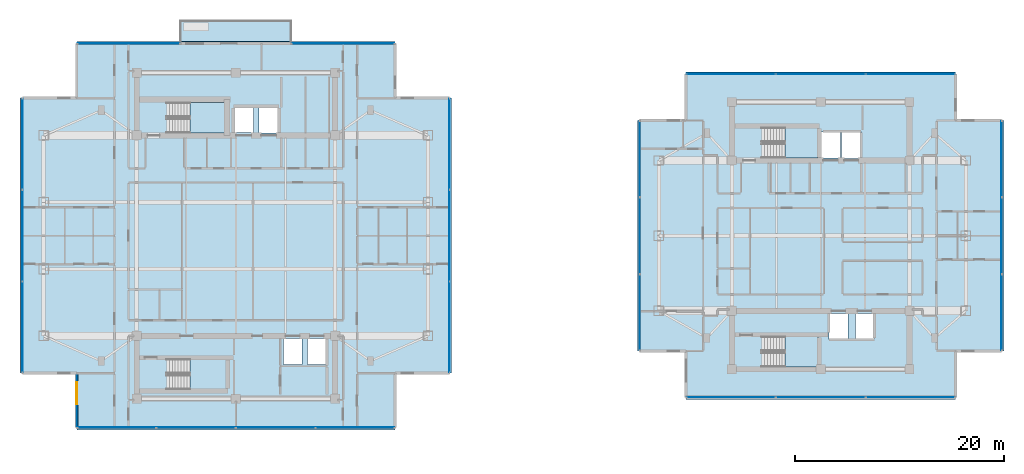
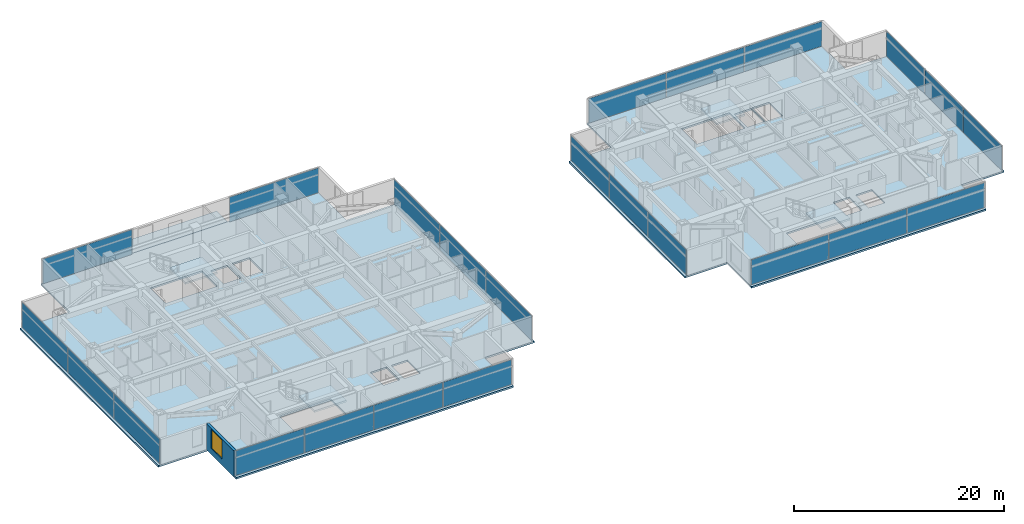
# One storey, part 11 of 24: 24 plates, 7 slabs, 1 wall, 1 window, 1 opening, 13 elements without a shape of their own.
"""IFC4 building model written with IfcOpenShell, lengths in metres."""

import ifcopenshell
import ifcopenshell.guid

model = None  # the IFC model being written
_history = None  # IfcOwnerHistory: only IFC2X3 demands one
_inside = {}  # id of a spatial element -> (the spatial element, [elements in it])
_under = {}  # id of a project, library or spatial element -> (it, [spatial elements below it])
_declared = {}  # id of a project -> (the project, [libraries it declares])
_typed = {}  # id of a type object -> (the type object, [elements of that type])
_made_of = {}  # id of a material, layer set ... -> (it, [elements and type objects made of it])


def new_model(schema):
    """Start an empty IFC model of exactly this schema.

    Asked for "IFC4X3", IfcOpenShell would pick the latest addendum, in which some entities
    have other attributes; the version numbers below select the first issue.
    IFC2X3 requires an IfcOwnerHistory on every rooted entity: one is made here for all.
    """
    global model, _history
    if schema == "IFC4X3":
        model = ifcopenshell.file(schema_version=(4, 3, 0, 0))
    else:
        model = ifcopenshell.file(schema=schema)
    _inside.clear()
    _under.clear()
    _declared.clear()
    _typed.clear()
    _made_of.clear()
    _history = None
    if model.schema == "IFC2X3":
        org = make("IfcOrganization", Name="unknown")
        user = make(
            "IfcPersonAndOrganization",
            ThePerson=make("IfcPerson", FamilyName="unknown"),
            TheOrganization=org,
        )
        app = make(
            "IfcApplication",
            ApplicationDeveloper=org,
            Version="unknown",
            ApplicationFullName="unknown",
            ApplicationIdentifier="unknown",
        )
        _history = make(
            "IfcOwnerHistory",
            OwningUser=user,
            OwningApplication=app,
            ChangeAction="ADDED",
            CreationDate=0,
        )
    return model


def make(cls, **values):
    """One entity of the class cls with the attributes given. An attribute that is None is left unset."""
    return model.create_entity(
        cls, **{name: value for name, value in values.items() if value is not None}
    )


def rooted(cls, **values):
    """An entity with a GlobalId (a new one), such as an element, a storey or a relation."""
    return make(cls, GlobalId=ifcopenshell.guid.new(), OwnerHistory=_history, **values)


def si_unit(unit_type, name, prefix=None):
    """IfcSIUnit, for example si_unit("LENGTHUNIT", "METRE", prefix="MILLI")."""
    return make("IfcSIUnit", UnitType=unit_type, Prefix=prefix, Name=name)


def assignment(units):
    """IfcUnitAssignment: the units of a project."""
    return None if units is None else make("IfcUnitAssignment", Units=units)


def point(xyz):
    """IfcCartesianPoint."""
    return None if xyz is None else make("IfcCartesianPoint", Coordinates=xyz)


def direction(xyz):
    """IfcDirection."""
    return None if xyz is None else make("IfcDirection", DirectionRatios=xyz)


def frame(location, z_axis=None, x_axis=None):
    """IfcAxis2Placement3D, a coordinate frame: its origin and axes. An axis left out is left unset."""
    return make(
        "IfcAxis2Placement3D",
        Location=point(location),
        Axis=direction(z_axis),
        RefDirection=direction(x_axis),
    )


def frame_2d(location, x_axis=None):
    """IfcAxis2Placement2D, a coordinate frame in the plane: its origin and x axis."""
    return make(
        "IfcAxis2Placement2D", Location=point(location), RefDirection=direction(x_axis)
    )


def origin():
    """The frame at (0, 0, 0) with its axes left unset."""
    return frame((0.0, 0.0, 0.0))


def origin_2d():
    """The frame at (0, 0) in the plane with its x axis left unset."""
    return frame_2d((0.0, 0.0))


def place(relative_to, where):
    """IfcLocalPlacement: puts the frame where relative to a parent placement (None: the world)."""
    return make(
        "IfcLocalPlacement", PlacementRelTo=relative_to, RelativePlacement=where
    )


def context(
    kind, dimensions, precision=None, world=None, true_north=None, identifier=None
):
    """IfcGeometricRepresentationContext, for example the 3D "Model" context."""
    return make(
        "IfcGeometricRepresentationContext",
        ContextIdentifier=identifier,
        ContextType=kind,
        CoordinateSpaceDimension=dimensions,
        Precision=precision,
        WorldCoordinateSystem=world,
        TrueNorth=true_north,
    )


def subcontext(parent, identifier, kind, view, scale=None):
    """IfcGeometricRepresentationSubContext, for example "Body" below "Model"."""
    return make(
        "IfcGeometricRepresentationSubContext",
        ContextIdentifier=identifier,
        ContextType=kind,
        ParentContext=parent,
        TargetScale=scale,
        TargetView=view,
    )


def project(units=None, contexts=None):
    """IfcProject with its units and contexts."""
    return rooted(
        "IfcProject",
        Name="project",
        RepresentationContexts=contexts,
        UnitsInContext=assignment(units),
    )


def spatial(cls, under=None, at=None, **own):
    """A site, building, storey or space (cls), placed at a placement, below another one or the project."""
    s = rooted(cls, ObjectPlacement=at, **own)
    if under is not None:
        _under.setdefault(under.id(), (under, []))[1].append(s)
    return s


def polyline(points):
    """IfcPolyline through the points."""
    return make("IfcPolyline", Points=[point(p) for p in points])


def profile(cls, at=None, kind="AREA", **sizes):
    """A parametric profile (cls). Its sizes go by their IFC names, for example OverallWidth=200.0."""
    return make(cls, ProfileType=kind, Position=at, **sizes)


def rectangle(**sizes):
    """IfcRectangleProfileDef."""
    return profile("IfcRectangleProfileDef", **sizes)


def outline(outer, holes=None, kind="AREA"):
    """IfcArbitraryClosedProfileDef: a profile drawn as a closed curve; with holes, ...WithVoids."""
    if holes is None:
        return make("IfcArbitraryClosedProfileDef", ProfileType=kind, OuterCurve=outer)
    return make(
        "IfcArbitraryProfileDefWithVoids",
        ProfileType=kind,
        OuterCurve=outer,
        InnerCurves=holes,
    )


def extrude(swept, where, along, depth):
    """IfcExtrudedAreaSolid: the profile swept, set in the frame where, extruded along a direction by depth."""
    return make(
        "IfcExtrudedAreaSolid",
        SweptArea=swept,
        Position=where,
        ExtrudedDirection=direction(along),
        Depth=depth,
    )


def shape(context_of_items, identifier, shape_type, items):
    """IfcShapeRepresentation: the items that make up one representation, for example the "Body"."""
    return make(
        "IfcShapeRepresentation",
        ContextOfItems=context_of_items,
        RepresentationIdentifier=identifier,
        RepresentationType=shape_type,
        Items=items,
    )


def material(Name=None, Category=None):
    """IfcMaterial."""
    return make("IfcMaterial", Name=Name, Category=Category)


def layer(
    of_material, thickness, ventilated=None, Name=None, Category=None, Priority=None
):
    """IfcMaterialLayer: one layer of a wall or slab, of a material (None: an air gap)."""
    return make(
        "IfcMaterialLayer",
        Material=of_material,
        LayerThickness=thickness,
        IsVentilated=ventilated,
        Name=Name,
        Category=Category,
        Priority=Priority,
    )


def layer_set(layers, Name=None):
    """IfcMaterialLayerSet."""
    return make("IfcMaterialLayerSet", MaterialLayers=layers, LayerSetName=Name)


def made_of(thing, what):
    """Note that an element or type object is made of a material, layer set ...; save() writes the relation."""
    if what is not None:
        _made_of.setdefault(what.id(), (what, []))[1].append(thing)
    return thing


def type_object(cls, material=None, **own):
    """A type object (cls), such as IfcWallType, which elements share."""
    return made_of(rooted(cls, **own), material)


def element(
    cls,
    number,
    at=None,
    inside=None,
    cuts=None,
    type_object=None,
    material=None,
    context=None,
    identifier="Body",
    shape_type=None,
    held_by="IfcProductDefinitionShape",
    body=None,
    shapes=None,
    **own,
):
    """One element of the class cls, such as IfcWall. Its Tag is "e" and its number.

    at: its placement. inside: the storey or other place that contains it. cuts: it is an
    opening in that element (IfcRelVoidsElement). A single representation is given by context,
    identifier, shape_type and body (its items); several are given by shapes. held_by: the class
    of the entity that holds the representations. save() writes the other relations.
    """
    e = rooted(cls, Tag="e%d" % number, ObjectPlacement=at, **own)
    if body is not None:
        shapes = [shape(context, identifier, shape_type, body)]
    if shapes is not None:
        e.Representation = make(held_by, Representations=shapes)
    if inside is not None:
        _inside.setdefault(inside.id(), (inside, []))[1].append(e)
    if cuts is not None:
        rooted(
            "IfcRelVoidsElement", RelatingBuildingElement=cuts, RelatedOpeningElement=e
        )
    if type_object is not None:
        _typed.setdefault(type_object.id(), (type_object, []))[1].append(e)
    return made_of(e, material)


def fill(opening, filler):
    """IfcRelFillsElement: the door or window that sits in an opening."""
    return rooted(
        "IfcRelFillsElement",
        RelatingOpeningElement=opening,
        RelatedBuildingElement=filler,
    )


def aggregate(whole, parts):
    """IfcRelAggregates: a whole, such as a stair, and the parts it consists of."""
    return rooted("IfcRelAggregates", RelatingObject=whole, RelatedObjects=parts)


def save(model, path):
    """Write the relations noted so far, then the file.

    IfcRelAggregates (storeys below a building ...), IfcRelContainedInSpatialStructure (elements
    in a storey), IfcRelDefinesByType, IfcRelAssociatesMaterial and IfcRelDeclares: one each for
    every whole, place, type object, material and project.
    """
    for whole, parts in _under.values():
        aggregate(whole, parts)
    for where, things in _inside.values():
        rooted(
            "IfcRelContainedInSpatialStructure",
            RelatedElements=things,
            RelatingStructure=where,
        )
    for kind, things in _typed.values():
        rooted("IfcRelDefinesByType", RelatedObjects=things, RelatingType=kind)
    for what, things in _made_of.values():
        rooted("IfcRelAssociatesMaterial", RelatedObjects=things, RelatingMaterial=what)
    for by, libraries in _declared.values():
        rooted("IfcRelDeclares", RelatingContext=by, RelatedDefinitions=libraries)
    model.write(path)


model = new_model("IFC4")

# Units and contexts
model_context = context("Model", 3, precision=1e-05, world=origin(), true_north=direction((0.0, 1.0)))
body_context = subcontext(model_context, "Body", "Model", "MODEL_VIEW")
ifc_project = project(units=[si_unit("LENGTHUNIT", "METRE"), si_unit("AREAUNIT", "SQUARE_METRE"), si_unit("VOLUMEUNIT", "CUBIC_METRE"), si_unit("PLANEANGLEUNIT", "RADIAN"), si_unit("MASSUNIT", "GRAM", prefix="KILO")], contexts=[model_context])

# Site, building, storey
site_placement = place(None, origin())
site = spatial("IfcSite", under=ifc_project, at=site_placement, CompositionType="ELEMENT")
building_placement = place(site_placement, origin())
building = spatial("IfcBuilding", under=site, at=building_placement, Name="Mirazonda Arch Towers", CompositionType="ELEMENT")
storey_placement = place(building_placement, frame((0.0, 0.0, 196.64990234375)))
storey = spatial("IfcBuildingStorey", under=building, at=storey_placement, Name="L56", CompositionType="ELEMENT", Elevation=196.64990234375)

# Curtain wall, plates
ifc_material_1 = material(Name="Anodised Aluminium and Low-E Glass", Category="aluminium")
curtain_wall_type = type_object("IfcCurtainWallType", Name="CW-RES-UNIT", PredefinedType="NOTDEFINED", material=ifc_material_1)
curtain_wall_1_placement = place(storey_placement, origin())
curtain_wall_1 = element("IfcCurtainWall", 1, at=curtain_wall_1_placement, inside=storey, type_object=curtain_wall_type, Name="L56 T1 S Facade CW-L56-T1-S", PredefinedType="NOTDEFINED")
ifc_material_2 = material(Name="Insulated Low-E Solar Glass", Category="glass")
ifc_layer_1 = layer(ifc_material_2, 0.0400390625, Name="PAN-CW-RES-UNIT")
ifc_layer_set_1 = layer_set([ifc_layer_1], Name="Insulated Low-E Solar Glass")
plate_type = type_object("IfcPlateType", Name="PAN-CW-RES-UNIT", PredefinedType="CURTAIN_PANEL", material=ifc_layer_set_1)
plate_1_placement = place(storey_placement, frame((31.907470703125, 9.617919921875, 0.0751953125), z_axis=(0.0, 0.0, 1.0), x_axis=(-1.0, 0.0, 0.0)))
plate_1 = element("IfcPlate", 2, at=plate_1_placement, type_object=plate_type, Name="CW-104 panel 1.1", PredefinedType="CURTAIN_PANEL", context=body_context, shape_type="SweptSolid", body=[
    extrude(rectangle(XDim=7.5048828125, YDim=0.0400390625, at=origin_2d()), origin(), (0.0, 0.0, 1.0), 2.8798828125),
])
plate_2_placement = place(storey_placement, frame((24.308837890625, 9.617919921875, 0.0751953125), z_axis=(0.0, 0.0, 1.0), x_axis=(-1.0, 0.0, 0.0)))
plate_2 = element("IfcPlate", 3, at=plate_2_placement, type_object=plate_type, Name="CW-104 panel 2.1", PredefinedType="CURTAIN_PANEL", context=body_context, shape_type="SweptSolid", body=[
    extrude(rectangle(XDim=7.54248046875, YDim=0.0400390625, at=origin_2d()), origin(), (0.0, 0.0, 1.0), 2.8798828125),
])
plate_3_placement = place(storey_placement, frame((16.691162109375, 9.617919921875, 0.0751953125), z_axis=(0.0, 0.0, 1.0), x_axis=(-1.0, 0.0, 0.0)))
plate_3 = element("IfcPlate", 4, at=plate_3_placement, type_object=plate_type, Name="CW-104 panel 3.1", PredefinedType="CURTAIN_PANEL", context=body_context, shape_type="SweptSolid", body=[
    extrude(rectangle(XDim=7.54248046875, YDim=0.0400390625, at=origin_2d()), origin(), (0.0, 0.0, 1.0), 2.8798828125),
])
plate_4_placement = place(storey_placement, frame((9.092529296875, 9.617919921875, 0.0751953125), z_axis=(0.0, 0.0, 1.0), x_axis=(-1.0, 0.0, 0.0)))
plate_4 = element("IfcPlate", 5, at=plate_4_placement, type_object=plate_type, Name="CW-104 panel 4.1", PredefinedType="CURTAIN_PANEL", context=body_context, shape_type="SweptSolid", body=[
    extrude(rectangle(XDim=7.5048828125, YDim=0.0400390625, at=origin_2d()), origin(), (0.0, 0.0, 1.0), 2.8798828125),
])
aggregate(curtain_wall_1, [plate_1, plate_2, plate_3, plate_4])

curtain_wall_2_placement = place(storey_placement, origin())
curtain_wall_2 = element("IfcCurtainWall", 6, at=curtain_wall_2_placement, inside=storey, type_object=curtain_wall_type, Name="L56 T1 E Facade CW-L56-T1-E", PredefinedType="NOTDEFINED")
plate_5_placement = place(storey_placement, frame((40.949951171875, 19.24072265625, 0.0751953125), z_axis=(0.0, 0.0, 1.0), x_axis=(0.0, 1.0, 0.0)))
plate_5 = element("IfcPlate", 7, at=plate_5_placement, type_object=plate_type, Name="CW-104 panel 1.1", PredefinedType="CURTAIN_PANEL", context=body_context, shape_type="SweptSolid", body=[
    extrude(rectangle(XDim=8.66552734375, YDim=0.0400390625, at=origin_2d()), origin(), (0.0, 0.0, 1.0), 2.8798828125),
])
plate_6_placement = place(storey_placement, frame((40.949951171875, 28.0, 0.0751953125), z_axis=(0.0, 0.0, 1.0), x_axis=(0.0, 1.0, 0.0)))
plate_6 = element("IfcPlate", 8, at=plate_6_placement, type_object=plate_type, Name="CW-104 panel 2.1", PredefinedType="CURTAIN_PANEL", context=body_context, shape_type="SweptSolid", body=[
    extrude(rectangle(XDim=8.702880859375, YDim=0.0400390625, at=origin_2d()), origin(), (0.0, 0.0, 1.0), 2.8798828125),
])
plate_7_placement = place(storey_placement, frame((40.949951171875, 36.75927734375, 0.0751953125), z_axis=(0.0, 0.0, 1.0), x_axis=(0.0, 1.0, 0.0)))
plate_7 = element("IfcPlate", 9, at=plate_7_placement, type_object=plate_type, Name="CW-104 panel 3.1", PredefinedType="CURTAIN_PANEL", context=body_context, shape_type="SweptSolid", body=[
    extrude(rectangle(XDim=8.66552734375, YDim=0.0400390625, at=origin_2d()), origin(), (0.0, 0.0, 1.0), 2.8798828125),
])
aggregate(curtain_wall_2, [plate_5, plate_6, plate_7])

# Curtain wall, plate
curtain_wall_3_placement = place(storey_placement, origin())
curtain_wall_3 = element("IfcCurtainWall", 10, at=curtain_wall_3_placement, inside=storey, type_object=curtain_wall_type, Name="L56 Curtain Wall CW-L56-T1-NA", PredefinedType="NOTDEFINED")
plate_8_placement = place(storey_placement, frame((10.237548828125, 46.382080078125, 0.0751953125), z_axis=(0.0, 0.0, 1.0), x_axis=(1.0, 0.0, 0.0)))
plate_8 = element("IfcPlate", 11, at=plate_8_placement, type_object=plate_type, Name="CW-104 panel 1.1", PredefinedType="CURTAIN_PANEL", context=body_context, shape_type="SweptSolid", body=[
    extrude(rectangle(XDim=9.794921875, YDim=0.0400390625, at=origin_2d()), origin(), (0.0, 0.0, 1.0), 2.8798828125),
])
aggregate(curtain_wall_3, [plate_8])

curtain_wall_4_placement = place(storey_placement, origin())
curtain_wall_4 = element("IfcCurtainWall", 12, at=curtain_wall_4_placement, inside=storey, type_object=curtain_wall_type, Name="L56 Curtain Wall CW-L56-T1-NB", PredefinedType="NOTDEFINED")
plate_9_placement = place(storey_placement, frame((30.762451171875, 46.382080078125, 0.0751953125), z_axis=(0.0, 0.0, 1.0), x_axis=(1.0, 0.0, 0.0)))
plate_9 = element("IfcPlate", 13, at=plate_9_placement, type_object=plate_type, Name="CW-104 panel 1.1", PredefinedType="CURTAIN_PANEL", context=body_context, shape_type="SweptSolid", body=[
    extrude(rectangle(XDim=9.794921875, YDim=0.0400390625, at=origin_2d()), origin(), (0.0, 0.0, 1.0), 2.8798828125),
])
aggregate(curtain_wall_4, [plate_9])

# Curtain wall, plates
curtain_wall_5_placement = place(storey_placement, origin())
curtain_wall_5 = element("IfcCurtainWall", 14, at=curtain_wall_5_placement, inside=storey, type_object=curtain_wall_type, Name="L56 T1 W Facade CW-L56-T1-W", PredefinedType="NOTDEFINED")
plate_10_placement = place(storey_placement, frame((0.050048828125, 36.75927734375, 0.0751953125), z_axis=(0.0, 0.0, 1.0), x_axis=(0.0, -1.0, 0.0)))
plate_10 = element("IfcPlate", 15, at=plate_10_placement, type_object=plate_type, Name="CW-104 panel 1.1", PredefinedType="CURTAIN_PANEL", context=body_context, shape_type="SweptSolid", body=[
    extrude(rectangle(XDim=8.66552734375, YDim=0.0400390625, at=origin_2d()), origin(), (0.0, 0.0, 1.0), 2.8798828125),
])
plate_11_placement = place(storey_placement, frame((0.050048828125, 28.0, 0.0751953125), z_axis=(0.0, 0.0, 1.0), x_axis=(0.0, -1.0, 0.0)))
plate_11 = element("IfcPlate", 16, at=plate_11_placement, type_object=plate_type, Name="CW-104 panel 2.1", PredefinedType="CURTAIN_PANEL", context=body_context, shape_type="SweptSolid", body=[
    extrude(rectangle(XDim=8.702880859375, YDim=0.0400390625, at=origin_2d()), origin(), (0.0, 0.0, 1.0), 2.8798828125),
])
plate_12_placement = place(storey_placement, frame((0.050048828125, 19.24072265625, 0.0751953125), z_axis=(0.0, 0.0, 1.0), x_axis=(0.0, -1.0, 0.0)))
plate_12 = element("IfcPlate", 17, at=plate_12_placement, type_object=plate_type, Name="CW-104 panel 3.1", PredefinedType="CURTAIN_PANEL", context=body_context, shape_type="SweptSolid", body=[
    extrude(rectangle(XDim=8.66552734375, YDim=0.0400390625, at=origin_2d()), origin(), (0.0, 0.0, 1.0), 2.8798828125),
])
aggregate(curtain_wall_5, [plate_10, plate_11, plate_12])

curtain_wall_6_placement = place(storey_placement, origin())
curtain_wall_6 = element("IfcCurtainWall", 18, at=curtain_wall_6_placement, inside=storey, type_object=curtain_wall_type, Name="L56 T2 S Facade CW-L56-T2-S", PredefinedType="NOTDEFINED")
plate_13_placement = place(storey_placement, frame((85.074462890625, 12.5283203125, 0.0751953125), z_axis=(0.0, 0.0, 1.0), x_axis=(-1.0, 0.0, 0.0)))
plate_13 = element("IfcPlate", 19, at=plate_13_placement, type_object=plate_type, Name="CW-104 panel 1.1", PredefinedType="CURTAIN_PANEL", context=body_context, shape_type="SweptSolid", body=[
    extrude(rectangle(XDim=8.480712890625, YDim=0.0400390625, at=origin_2d()), origin(), (0.0, 0.0, 1.0), 2.8798828125),
])
plate_14_placement = place(storey_placement, frame((76.5, 12.5283203125, 0.0751953125), z_axis=(0.0, 0.0, 1.0), x_axis=(-1.0, 0.0, 0.0)))
plate_14 = element("IfcPlate", 20, at=plate_14_placement, type_object=plate_type, Name="CW-104 panel 2.1", PredefinedType="CURTAIN_PANEL", context=body_context, shape_type="SweptSolid", body=[
    extrude(rectangle(XDim=8.518310546875, YDim=0.0400390625, at=origin_2d()), origin(), (0.0, 0.0, 1.0), 2.8798828125),
])
plate_15_placement = place(storey_placement, frame((67.925537109375, 12.5283203125, 0.0751953125), z_axis=(0.0, 0.0, 1.0), x_axis=(-1.0, 0.0, 0.0)))
plate_15 = element("IfcPlate", 21, at=plate_15_placement, type_object=plate_type, Name="CW-104 panel 3.1", PredefinedType="CURTAIN_PANEL", context=body_context, shape_type="SweptSolid", body=[
    extrude(rectangle(XDim=8.480712890625, YDim=0.0400390625, at=origin_2d()), origin(), (0.0, 0.0, 1.0), 2.8798828125),
])
aggregate(curtain_wall_6, [plate_13, plate_14, plate_15])

curtain_wall_7_placement = place(storey_placement, origin())
curtain_wall_7 = element("IfcCurtainWall", 22, at=curtain_wall_7_placement, inside=storey, type_object=curtain_wall_type, Name="L56 T2 E Facade CW-L56-T2-E", PredefinedType="NOTDEFINED")
plate_16_placement = place(storey_placement, frame((93.82958984375, 20.6640625, 0.0751953125), z_axis=(0.0, 0.0, 1.0), x_axis=(0.0, 1.0, 0.0)))
plate_16 = element("IfcPlate", 23, at=plate_16_placement, type_object=plate_type, Name="CW-104 panel 1.1", PredefinedType="CURTAIN_PANEL", context=body_context, shape_type="SweptSolid", body=[
    extrude(rectangle(XDim=7.2421875, YDim=0.0400390625, at=origin_2d()), origin(), (0.0, 0.0, 1.0), 2.8798828125),
])
plate_17_placement = place(storey_placement, frame((93.82958984375, 28.0, 0.0751953125), z_axis=(0.0, 0.0, 1.0), x_axis=(0.0, 1.0, 0.0)))
plate_17 = element("IfcPlate", 24, at=plate_17_placement, type_object=plate_type, Name="CW-104 panel 2.1", PredefinedType="CURTAIN_PANEL", context=body_context, shape_type="SweptSolid", body=[
    extrude(rectangle(XDim=7.27978515625, YDim=0.0400390625, at=origin_2d()), origin(), (0.0, 0.0, 1.0), 2.8798828125),
])
plate_18_placement = place(storey_placement, frame((93.82958984375, 35.3359375, 0.0751953125), z_axis=(0.0, 0.0, 1.0), x_axis=(0.0, 1.0, 0.0)))
plate_18 = element("IfcPlate", 25, at=plate_18_placement, type_object=plate_type, Name="CW-104 panel 3.1", PredefinedType="CURTAIN_PANEL", context=body_context, shape_type="SweptSolid", body=[
    extrude(rectangle(XDim=7.2421875, YDim=0.0400390625, at=origin_2d()), origin(), (0.0, 0.0, 1.0), 2.8798828125),
])
aggregate(curtain_wall_7, [plate_16, plate_17, plate_18])

curtain_wall_8_placement = place(storey_placement, origin())
curtain_wall_8 = element("IfcCurtainWall", 26, at=curtain_wall_8_placement, inside=storey, type_object=curtain_wall_type, Name="L56 T2 N Facade CW-L56-T2-N", PredefinedType="NOTDEFINED")
plate_19_placement = place(storey_placement, frame((67.925537109375, 43.4716796875, 0.0751953125), z_axis=(0.0, 0.0, 1.0), x_axis=(1.0, 0.0, 0.0)))
plate_19 = element("IfcPlate", 27, at=plate_19_placement, type_object=plate_type, Name="CW-104 panel 1.1", PredefinedType="CURTAIN_PANEL", context=body_context, shape_type="SweptSolid", body=[
    extrude(rectangle(XDim=8.480712890625, YDim=0.0400390625, at=origin_2d()), origin(), (0.0, 0.0, 1.0), 2.8798828125),
])
plate_20_placement = place(storey_placement, frame((76.5, 43.4716796875, 0.0751953125), z_axis=(0.0, 0.0, 1.0), x_axis=(1.0, 0.0, 0.0)))
plate_20 = element("IfcPlate", 28, at=plate_20_placement, type_object=plate_type, Name="CW-104 panel 2.1", PredefinedType="CURTAIN_PANEL", context=body_context, shape_type="SweptSolid", body=[
    extrude(rectangle(XDim=8.518310546875, YDim=0.0400390625, at=origin_2d()), origin(), (0.0, 0.0, 1.0), 2.8798828125),
])
plate_21_placement = place(storey_placement, frame((85.074462890625, 43.4716796875, 0.0751953125), z_axis=(0.0, 0.0, 1.0), x_axis=(1.0, 0.0, 0.0)))
plate_21 = element("IfcPlate", 29, at=plate_21_placement, type_object=plate_type, Name="CW-104 panel 3.1", PredefinedType="CURTAIN_PANEL", context=body_context, shape_type="SweptSolid", body=[
    extrude(rectangle(XDim=8.480712890625, YDim=0.0400390625, at=origin_2d()), origin(), (0.0, 0.0, 1.0), 2.8798828125),
])
aggregate(curtain_wall_8, [plate_19, plate_20, plate_21])

curtain_wall_9_placement = place(storey_placement, origin())
curtain_wall_9 = element("IfcCurtainWall", 30, at=curtain_wall_9_placement, inside=storey, type_object=curtain_wall_type, Name="L56 T2 W Facade CW-L56-T2-W", PredefinedType="NOTDEFINED")
plate_22_placement = place(storey_placement, frame((59.17041015625, 35.3359375, 0.0751953125), z_axis=(0.0, 0.0, 1.0), x_axis=(0.0, -1.0, 0.0)))
plate_22 = element("IfcPlate", 31, at=plate_22_placement, type_object=plate_type, Name="CW-104 panel 1.1", PredefinedType="CURTAIN_PANEL", context=body_context, shape_type="SweptSolid", body=[
    extrude(rectangle(XDim=7.2421875, YDim=0.0400390625, at=origin_2d()), origin(), (0.0, 0.0, 1.0), 2.8798828125),
])
plate_23_placement = place(storey_placement, frame((59.17041015625, 28.0, 0.0751953125), z_axis=(0.0, 0.0, 1.0), x_axis=(0.0, -1.0, 0.0)))
plate_23 = element("IfcPlate", 32, at=plate_23_placement, type_object=plate_type, Name="CW-104 panel 2.1", PredefinedType="CURTAIN_PANEL", context=body_context, shape_type="SweptSolid", body=[
    extrude(rectangle(XDim=7.27978515625, YDim=0.0400390625, at=origin_2d()), origin(), (0.0, 0.0, 1.0), 2.8798828125),
])
plate_24_placement = place(storey_placement, frame((59.17041015625, 20.6640625, 0.0751953125), z_axis=(0.0, 0.0, 1.0), x_axis=(0.0, -1.0, 0.0)))
plate_24 = element("IfcPlate", 33, at=plate_24_placement, type_object=plate_type, Name="CW-104 panel 3.1", PredefinedType="CURTAIN_PANEL", context=body_context, shape_type="SweptSolid", body=[
    extrude(rectangle(XDim=7.2421875, YDim=0.0400390625, at=origin_2d()), origin(), (0.0, 0.0, 1.0), 2.8798828125),
])
aggregate(curtain_wall_9, [plate_22, plate_23, plate_24])

# Stair, slab
ifc_material_3 = material(Name="Concrete C40/50", Category="concrete")
stair_type = type_object("IfcStairType", Name="STAIR-CORE-1400", PredefinedType="HALF_TURN_STAIR", material=ifc_material_3)
stair_1_placement = place(storey_placement, origin())
stair_1 = element("IfcStair", 34, at=stair_1_placement, inside=storey, type_object=stair_type, Name="L56 Protected Exit Stair ST-T1N", PredefinedType="HALF_TURN_STAIR")
ifc_layer_2 = layer(ifc_material_3, 0.18994140625, Name="SLAB-LANDING-190")
ifc_layer_set_2 = layer_set([ifc_layer_2], Name="Concrete C40/50")
slab_type_1 = type_object("IfcSlabType", Name="SLAB-LANDING-190", PredefinedType="LANDING", material=ifc_layer_set_2)
slab_1_placement = place(storey_placement, frame((0.0, 0.0, 1.425048828125)))
slab_1 = element("IfcSlab", 35, at=slab_1_placement, type_object=slab_type_1, Name="ST-T1N landing 1", PredefinedType="LANDING", context=body_context, shape_type="SweptSolid", body=[
    extrude(outline(polyline([(16.090087890625, 37.820068359375), (19.60009765625, 37.820068359375), (19.60009765625, 40.760009765625), (16.090087890625, 40.760009765625), (16.090087890625, 37.820068359375)])), origin(), (0.0, 0.0, 1.0), 0.199951171875),
])
aggregate(stair_1, [slab_1])

stair_2_placement = place(storey_placement, origin())
stair_2 = element("IfcStair", 36, at=stair_2_placement, inside=storey, type_object=stair_type, Name="L56 Protected Exit Stair ST-T1S", PredefinedType="HALF_TURN_STAIR")
slab_2_placement = place(storey_placement, frame((0.0, 0.0, 1.425048828125)))
slab_2 = element("IfcSlab", 37, at=slab_2_placement, type_object=slab_type_1, Name="ST-T1S landing 1", PredefinedType="LANDING", context=body_context, shape_type="SweptSolid", body=[
    extrude(outline(polyline([(16.090087890625, 13.25), (19.60009765625, 13.25), (19.60009765625, 16.18994140625), (16.090087890625, 16.18994140625), (16.090087890625, 13.25)])), origin(), (0.0, 0.0, 1.0), 0.199951171875),
])
aggregate(stair_2, [slab_2])

stair_3_placement = place(storey_placement, origin())
stair_3 = element("IfcStair", 38, at=stair_3_placement, inside=storey, type_object=stair_type, Name="L56 Protected Exit Stair ST-T2N", PredefinedType="HALF_TURN_STAIR")
slab_3_placement = place(storey_placement, frame((0.0, 0.0, 1.425048828125)))
slab_3 = element("IfcSlab", 39, at=slab_3_placement, type_object=slab_type_1, Name="ST-T2N landing 1", PredefinedType="LANDING", context=body_context, shape_type="SweptSolid", body=[
    extrude(outline(polyline([(73.090087890625, 35.419921875), (76.22998046875, 35.419921875), (76.22998046875, 38.360107421875), (73.090087890625, 38.360107421875), (73.090087890625, 35.419921875)])), origin(), (0.0, 0.0, 1.0), 0.199951171875),
])
aggregate(stair_3, [slab_3])

stair_4_placement = place(storey_placement, origin())
stair_4 = element("IfcStair", 40, at=stair_4_placement, inside=storey, type_object=stair_type, Name="L56 Protected Exit Stair ST-T2S", PredefinedType="HALF_TURN_STAIR")
slab_4_placement = place(storey_placement, frame((0.0, 0.0, 1.425048828125)))
slab_4 = element("IfcSlab", 41, at=slab_4_placement, type_object=slab_type_1, Name="ST-T2S landing 1", PredefinedType="LANDING", context=body_context, shape_type="SweptSolid", body=[
    extrude(outline(polyline([(73.090087890625, 15.419921875), (76.22998046875, 15.419921875), (76.22998046875, 18.360107421875), (73.090087890625, 18.360107421875), (73.090087890625, 15.419921875)])), origin(), (0.0, 0.0, 1.0), 0.199951171875),
])
aggregate(stair_4, [slab_4])

# Slabs
ifc_layer_3 = layer(ifc_material_3, 0.2099609375, Name="SLAB-TERRACE-210")
ifc_layer_set_3 = layer_set([ifc_layer_3], Name="Concrete C40/50")
slab_type_2 = type_object("IfcSlabType", Name="SLAB-TERRACE-210", PredefinedType="FLOOR", material=ifc_layer_set_3)
slab_5_placement = place(storey_placement, frame((0.0, 0.0, -0.2099609375)))
element("IfcSlab", 42, at=slab_5_placement, inside=storey, type_object=slab_type_2, Name="L56 T1 Spiralling Sky-Terrace Balcony Slab", PredefinedType="FLOOR", context=body_context, shape_type="SweptSolid", body=[
    extrude(outline(polyline([(15.199951171875, 46.592041015625), (25.800048828125, 46.592041015625), (25.800048828125, 48.652099609375), (15.199951171875, 48.652099609375), (15.199951171875, 46.592041015625)])), origin(), (0.0, 0.0, 1.0), 0.2099609375),
])
ifc_layer_4 = layer(ifc_material_3, 0.199951171875, Name="SLAB-TWR-200")
ifc_layer_set_4 = layer_set([ifc_layer_4], Name="Concrete C40/50")
slab_type_3 = type_object("IfcSlabType", Name="SLAB-TWR-200", PredefinedType="FLOOR", material=ifc_layer_set_4)
slab_6_placement = place(storey_placement, frame((0.0, 0.0, -0.199951171875)))
element("IfcSlab", 43, at=slab_6_placement, inside=storey, type_object=slab_type_3, Name="L56 Tower 1 Floor Slab", PredefinedType="FLOOR", context=body_context, shape_type="SweptSolid", body=[
    extrude(outline(polyline([(5.264892578125, 9.39794921875), (35.735107421875, 9.39794921875), (35.735107421875, 14.8330078125), (41.169921875, 14.8330078125), (41.169921875, 41.1669921875), (35.735107421875, 41.1669921875), (35.735107421875, 46.60205078125), (5.264892578125, 46.60205078125), (5.264892578125, 41.1669921875), (-0.169921875, 41.1669921875), (-0.169921875, 14.8330078125), (5.264892578125, 14.8330078125), (5.264892578125, 9.39794921875)]), holes=[polyline([(27.360107421875, 18.139892578125), (29.139892578125, 18.139892578125), (29.139892578125, 15.659912109375), (27.360107421875, 15.659912109375), (27.360107421875, 18.139892578125)]), polyline([(25.06005859375, 18.139892578125), (26.840087890625, 18.139892578125), (26.840087890625, 15.659912109375), (25.06005859375, 15.659912109375), (25.06005859375, 18.139892578125)]), polyline([(22.7099609375, 40.389892578125), (24.590087890625, 40.389892578125), (24.590087890625, 37.81005859375), (22.7099609375, 37.81005859375), (22.7099609375, 40.389892578125)]), polyline([(20.31005859375, 37.860107421875), (20.31005859375, 40.340087890625), (22.18994140625, 40.340087890625), (22.18994140625, 37.860107421875), (20.31005859375, 37.860107421875)]), polyline([(19.60009765625, 13.25), (13.925048828125, 13.25), (13.925048828125, 16.18994140625), (19.60009765625, 16.18994140625), (19.60009765625, 13.25)]), polyline([(13.925048828125, 37.820068359375), (13.925048828125, 40.760009765625), (19.60009765625, 40.760009765625), (19.60009765625, 37.820068359375), (13.925048828125, 37.820068359375)])]), origin(), (0.0, 0.0, 1.0), 0.199951171875),
])
slab_7_placement = place(storey_placement, frame((0.0, 0.0, -0.199951171875)))
element("IfcSlab", 44, at=slab_7_placement, inside=storey, type_object=slab_type_3, Name="L56 Tower 2 Floor Slab", PredefinedType="FLOOR", context=body_context, shape_type="SweptSolid", body=[
    extrude(outline(polyline([(63.610107421875, 12.308349609375), (89.389892578125, 12.308349609375), (89.389892578125, 16.968017578125), (94.049560546875, 16.968017578125), (94.049560546875, 39.031982421875), (89.389892578125, 39.031982421875), (89.389892578125, 43.691650390625), (63.610107421875, 43.691650390625), (63.610107421875, 39.031982421875), (58.950439453125, 39.031982421875), (58.950439453125, 16.968017578125), (63.610107421875, 16.968017578125), (63.610107421875, 12.308349609375)]), holes=[polyline([(79.81005859375, 20.5400390625), (81.590087890625, 20.5400390625), (81.590087890625, 18.06005859375), (79.81005859375, 18.06005859375), (79.81005859375, 20.5400390625)]), polyline([(78.47998046875, 37.989990234375), (80.360107421875, 37.989990234375), (80.360107421875, 35.409912109375), (78.47998046875, 35.409912109375), (78.47998046875, 37.989990234375)]), polyline([(77.31005859375, 20.5400390625), (79.090087890625, 20.5400390625), (79.090087890625, 18.06005859375), (77.31005859375, 18.06005859375), (77.31005859375, 20.5400390625)]), polyline([(76.510009765625, 35.4599609375), (76.510009765625, 37.93994140625), (78.389892578125, 37.93994140625), (78.389892578125, 35.4599609375), (76.510009765625, 35.4599609375)]), polyline([(76.22998046875, 15.419921875), (70.925048828125, 15.419921875), (70.925048828125, 18.360107421875), (76.22998046875, 18.360107421875), (76.22998046875, 15.419921875)]), polyline([(70.925048828125, 35.419921875), (70.925048828125, 38.360107421875), (76.22998046875, 38.360107421875), (76.22998046875, 35.419921875), (70.925048828125, 35.419921875)])]), origin(), (0.0, 0.0, 1.0), 0.199951171875),
])

# Wall, opening, window
ifc_material_4 = material(Name="Precast Concrete C40/50", Category="concrete")
ifc_layer_5 = layer(ifc_material_4, 0.280029296875, Name="WALL-EXT-WALL-280")
ifc_layer_set_5 = layer_set([ifc_layer_5], Name="Precast Concrete C40/50")
wall_type = type_object("IfcWallType", Name="WALL-EXT-WALL-280", PredefinedType="SOLIDWALL", material=ifc_layer_set_5)
wall_placement = place(storey_placement, frame((5.264892578125, 14.8330078125, 0.0), z_axis=(0.0, 0.0, 1.0), x_axis=(0.0, -1.0, 0.0)))
wall = element("IfcWall", 45, at=wall_placement, inside=storey, type_object=wall_type, Name="L56 T1 Notched SW Corner Wall WL-L56-T1-CSW", PredefinedType="SOLIDWALL", context=body_context, shape_type="SweptSolid", body=[
    extrude(rectangle(XDim=5.215087890625, YDim=0.280029296875, at=frame_2d((2.607421875, 0.0))), origin(), (0.0, 0.0, 1.0), 3.030029296875),
])
opening_placement = place(wall_placement, frame((0.85009765625, 0.0, 0.679931640625)))
opening = element("IfcOpeningElement", 46, at=opening_placement, cuts=wall, Name="Opening WN-117", PredefinedType="OPENING", context=body_context, shape_type="SweptSolid", body=[
    extrude(rectangle(XDim=2.10009765625, YDim=2.199951171875, at=frame_2d((1.050048828125, 1.10009765625))), frame((0.0, 0.14990234375, 0.0), z_axis=(0.0, -1.0, 0.0), x_axis=(1.0, 0.0, 0.0)), (0.0, 0.0, 1.0), 0.300048828125),
])
window_type = type_object("IfcWindowType", Name="WIN-RES-2100x2200", PartitioningType="SINGLE_PANEL", PredefinedType="WINDOW", material=ifc_material_2)
window_placement = place(opening_placement, origin())
window = element("IfcWindow", 47, at=window_placement, inside=storey, type_object=window_type, Name="L56 Punched Facade Window WN-L56-T1-CSW", OverallHeight=2.199951171875, OverallWidth=2.10009765625, PartitioningType="SINGLE_PANEL", PredefinedType="WINDOW", context=body_context, shape_type="SweptSolid", body=[
    extrude(rectangle(XDim=2.10009765625, YDim=2.199951171875, at=frame_2d((1.050048828125, 1.10009765625))), frame((0.0, 0.030029296875, 0.0), z_axis=(0.0, -1.0, 0.0), x_axis=(1.0, 0.0, 0.0)), (0.0, 0.0, 1.0), 0.06005859375),
])
fill(opening, window)

save(model, "model.ifc")
